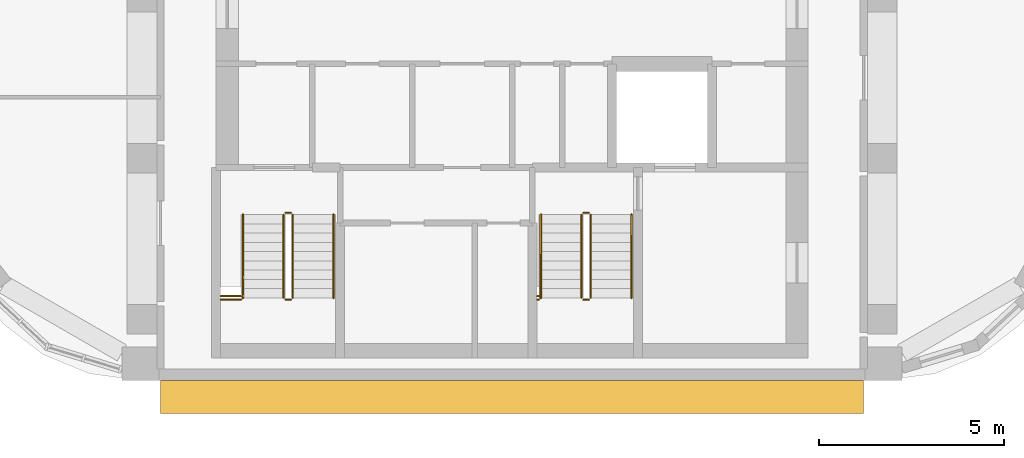
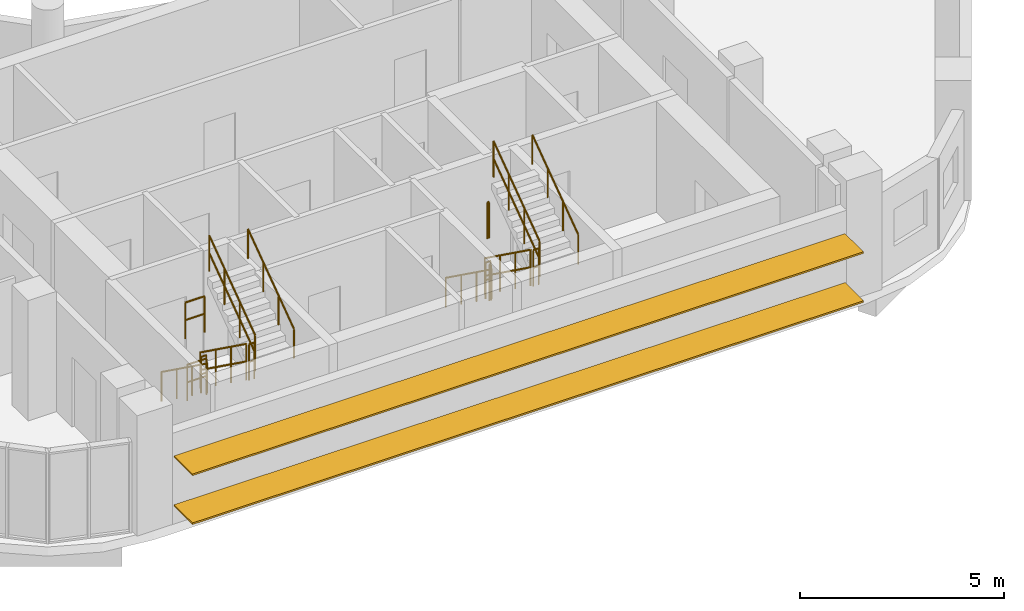
# One storey, part 14 of 16: 16 railings, 2 shading devices.
"""IFC4 building model written with IfcOpenShell, lengths in metres."""

import ifcopenshell
import ifcopenshell.guid

model = None  # the IFC model being written
_history = None  # IfcOwnerHistory: only IFC2X3 demands one
_inside = {}  # id of a spatial element -> (the spatial element, [elements in it])
_under = {}  # id of a project, library or spatial element -> (it, [spatial elements below it])
_declared = {}  # id of a project -> (the project, [libraries it declares])
_typed = {}  # id of a type object -> (the type object, [elements of that type])
_made_of = {}  # id of a material, layer set ... -> (it, [elements and type objects made of it])


def new_model(schema):
    """Start an empty IFC model of exactly this schema.

    Asked for "IFC4X3", IfcOpenShell would pick the latest addendum, in which some entities
    have other attributes; the version numbers below select the first issue.
    IFC2X3 requires an IfcOwnerHistory on every rooted entity: one is made here for all.
    """
    global model, _history
    if schema == "IFC4X3":
        model = ifcopenshell.file(schema_version=(4, 3, 0, 0))
    else:
        model = ifcopenshell.file(schema=schema)
    _inside.clear()
    _under.clear()
    _declared.clear()
    _typed.clear()
    _made_of.clear()
    _history = None
    if model.schema == "IFC2X3":
        org = make("IfcOrganization", Name="unknown")
        user = make(
            "IfcPersonAndOrganization",
            ThePerson=make("IfcPerson", FamilyName="unknown"),
            TheOrganization=org,
        )
        app = make(
            "IfcApplication",
            ApplicationDeveloper=org,
            Version="unknown",
            ApplicationFullName="unknown",
            ApplicationIdentifier="unknown",
        )
        _history = make(
            "IfcOwnerHistory",
            OwningUser=user,
            OwningApplication=app,
            ChangeAction="ADDED",
            CreationDate=0,
        )
    return model


def make(cls, **values):
    """One entity of the class cls with the attributes given. An attribute that is None is left unset."""
    return model.create_entity(
        cls, **{name: value for name, value in values.items() if value is not None}
    )


def rooted(cls, **values):
    """An entity with a GlobalId (a new one), such as an element, a storey or a relation."""
    return make(cls, GlobalId=ifcopenshell.guid.new(), OwnerHistory=_history, **values)


def si_unit(unit_type, name, prefix=None):
    """IfcSIUnit, for example si_unit("LENGTHUNIT", "METRE", prefix="MILLI")."""
    return make("IfcSIUnit", UnitType=unit_type, Prefix=prefix, Name=name)


def assignment(units):
    """IfcUnitAssignment: the units of a project."""
    return None if units is None else make("IfcUnitAssignment", Units=units)


def point(xyz):
    """IfcCartesianPoint."""
    return None if xyz is None else make("IfcCartesianPoint", Coordinates=xyz)


def direction(xyz):
    """IfcDirection."""
    return None if xyz is None else make("IfcDirection", DirectionRatios=xyz)


def frame(location, z_axis=None, x_axis=None):
    """IfcAxis2Placement3D, a coordinate frame: its origin and axes. An axis left out is left unset."""
    return make(
        "IfcAxis2Placement3D",
        Location=point(location),
        Axis=direction(z_axis),
        RefDirection=direction(x_axis),
    )


def frame_2d(location, x_axis=None):
    """IfcAxis2Placement2D, a coordinate frame in the plane: its origin and x axis."""
    return make(
        "IfcAxis2Placement2D", Location=point(location), RefDirection=direction(x_axis)
    )


def origin():
    """The frame at (0, 0, 0) with its axes left unset."""
    return frame((0.0, 0.0, 0.0))


def origin_2d():
    """The frame at (0, 0) in the plane with its x axis left unset."""
    return frame_2d((0.0, 0.0))


def place(relative_to, where):
    """IfcLocalPlacement: puts the frame where relative to a parent placement (None: the world)."""
    return make(
        "IfcLocalPlacement", PlacementRelTo=relative_to, RelativePlacement=where
    )


def context(
    kind, dimensions, precision=None, world=None, true_north=None, identifier=None
):
    """IfcGeometricRepresentationContext, for example the 3D "Model" context."""
    return make(
        "IfcGeometricRepresentationContext",
        ContextIdentifier=identifier,
        ContextType=kind,
        CoordinateSpaceDimension=dimensions,
        Precision=precision,
        WorldCoordinateSystem=world,
        TrueNorth=true_north,
    )


def subcontext(parent, identifier, kind, view, scale=None):
    """IfcGeometricRepresentationSubContext, for example "Body" below "Model"."""
    return make(
        "IfcGeometricRepresentationSubContext",
        ContextIdentifier=identifier,
        ContextType=kind,
        ParentContext=parent,
        TargetScale=scale,
        TargetView=view,
    )


def project(units=None, contexts=None):
    """IfcProject with its units and contexts."""
    return rooted(
        "IfcProject",
        Name="project",
        RepresentationContexts=contexts,
        UnitsInContext=assignment(units),
    )


def spatial(cls, under=None, at=None, **own):
    """A site, building, storey or space (cls), placed at a placement, below another one or the project."""
    s = rooted(cls, ObjectPlacement=at, **own)
    if under is not None:
        _under.setdefault(under.id(), (under, []))[1].append(s)
    return s


def profile(cls, at=None, kind="AREA", **sizes):
    """A parametric profile (cls). Its sizes go by their IFC names, for example OverallWidth=200.0."""
    return make(cls, ProfileType=kind, Position=at, **sizes)


def rectangle(**sizes):
    """IfcRectangleProfileDef."""
    return profile("IfcRectangleProfileDef", **sizes)


def circle(**sizes):
    """IfcCircleProfileDef."""
    return profile("IfcCircleProfileDef", **sizes)


def extrude(swept, where, along, depth):
    """IfcExtrudedAreaSolid: the profile swept, set in the frame where, extruded along a direction by depth."""
    return make(
        "IfcExtrudedAreaSolid",
        SweptArea=swept,
        Position=where,
        ExtrudedDirection=direction(along),
        Depth=depth,
    )


def shape(context_of_items, identifier, shape_type, items):
    """IfcShapeRepresentation: the items that make up one representation, for example the "Body"."""
    return make(
        "IfcShapeRepresentation",
        ContextOfItems=context_of_items,
        RepresentationIdentifier=identifier,
        RepresentationType=shape_type,
        Items=items,
    )


def material(Name=None, Category=None):
    """IfcMaterial."""
    return make("IfcMaterial", Name=Name, Category=Category)


def material_profile(
    of_material, cross_section, Name=None, Category=None, Priority=None
):
    """IfcMaterialProfile: a cross section and its material."""
    return make(
        "IfcMaterialProfile",
        Name=Name,
        Material=of_material,
        Profile=cross_section,
        Priority=Priority,
        Category=Category,
    )


def profile_set(profiles, Name=None, composite=None):
    """IfcMaterialProfileSet."""
    return make(
        "IfcMaterialProfileSet",
        Name=Name,
        MaterialProfiles=profiles,
        CompositeProfile=composite,
    )


def made_of(thing, what):
    """Note that an element or type object is made of a material, layer set ...; save() writes the relation."""
    if what is not None:
        _made_of.setdefault(what.id(), (what, []))[1].append(thing)
    return thing


def type_object(cls, material=None, **own):
    """A type object (cls), such as IfcWallType, which elements share."""
    return made_of(rooted(cls, **own), material)


def element(
    cls,
    number,
    at=None,
    inside=None,
    cuts=None,
    type_object=None,
    material=None,
    context=None,
    identifier="Body",
    shape_type=None,
    held_by="IfcProductDefinitionShape",
    body=None,
    shapes=None,
    **own,
):
    """One element of the class cls, such as IfcWall. Its Tag is "e" and its number.

    at: its placement. inside: the storey or other place that contains it. cuts: it is an
    opening in that element (IfcRelVoidsElement). A single representation is given by context,
    identifier, shape_type and body (its items); several are given by shapes. held_by: the class
    of the entity that holds the representations. save() writes the other relations.
    """
    e = rooted(cls, Tag="e%d" % number, ObjectPlacement=at, **own)
    if body is not None:
        shapes = [shape(context, identifier, shape_type, body)]
    if shapes is not None:
        e.Representation = make(held_by, Representations=shapes)
    if inside is not None:
        _inside.setdefault(inside.id(), (inside, []))[1].append(e)
    if cuts is not None:
        rooted(
            "IfcRelVoidsElement", RelatingBuildingElement=cuts, RelatedOpeningElement=e
        )
    if type_object is not None:
        _typed.setdefault(type_object.id(), (type_object, []))[1].append(e)
    return made_of(e, material)


def aggregate(whole, parts):
    """IfcRelAggregates: a whole, such as a stair, and the parts it consists of."""
    return rooted("IfcRelAggregates", RelatingObject=whole, RelatedObjects=parts)


def save(model, path):
    """Write the relations noted so far, then the file.

    IfcRelAggregates (storeys below a building ...), IfcRelContainedInSpatialStructure (elements
    in a storey), IfcRelDefinesByType, IfcRelAssociatesMaterial and IfcRelDeclares: one each for
    every whole, place, type object, material and project.
    """
    for whole, parts in _under.values():
        aggregate(whole, parts)
    for where, things in _inside.values():
        rooted(
            "IfcRelContainedInSpatialStructure",
            RelatedElements=things,
            RelatingStructure=where,
        )
    for kind, things in _typed.values():
        rooted("IfcRelDefinesByType", RelatedObjects=things, RelatingType=kind)
    for what, things in _made_of.values():
        rooted("IfcRelAssociatesMaterial", RelatedObjects=things, RelatingMaterial=what)
    for by, libraries in _declared.values():
        rooted("IfcRelDeclares", RelatingContext=by, RelatedDefinitions=libraries)
    model.write(path)


model = new_model("IFC4")

# Units and contexts
model_context = context("Model", 3, precision=1e-05, world=origin(), true_north=direction((0.0, 1.0)))
body_context = subcontext(model_context, "Body", "Model", "MODEL_VIEW")
ifc_project = project(units=[si_unit("LENGTHUNIT", "METRE"), si_unit("AREAUNIT", "SQUARE_METRE"), si_unit("VOLUMEUNIT", "CUBIC_METRE"), si_unit("PLANEANGLEUNIT", "RADIAN"), si_unit("MASSUNIT", "GRAM", prefix="KILO")], contexts=[model_context])

# Site, building, storey
site_placement = place(None, origin())
site = spatial("IfcSite", under=ifc_project, at=site_placement, CompositionType="ELEMENT")
building_placement = place(site_placement, origin())
building = spatial("IfcBuilding", under=site, at=building_placement, Name="Nakaniwa Court", CompositionType="ELEMENT")
storey_placement = place(building_placement, frame((0.0, 0.0, 272.39990234375)))
storey = spatial("IfcBuildingStorey", under=building, at=storey_placement, Name="C01", CompositionType="ELEMENT", Elevation=272.39990234375)

# Shading devices
ifc_material_1 = material(Name="Perforated charcoal ceramic louvre blade")
ifc_material_profile = material_profile(ifc_material_1, rectangle(XDim=0.89990234375, YDim=0.050048828125, at=origin_2d()), Name="Perforated ceramic louvre blade")
ifc_profile_set = profile_set([ifc_material_profile], Name="Perforated charcoal ceramic louvre blade")
shading_device_type = type_object("IfcShadingDeviceType", Name="Perforated ceramic louvre blade", PredefinedType="JALOUSIE", material=ifc_profile_set)
for number, where, z_axis, x_axis, name in (
    (1, (70.500732421875, 56.89990234375, 0.550048828125), (1.0, 0.0, 0.0), (0.0, 1.0, 0.0), "C01 perforated ceramic louvre blade w26 1"),
    (2, (70.500732421875, 56.89990234375, 2.01513671875), (1.0, 0.0, 0.0), (0.0, 1.0, 0.0), "C01 perforated ceramic louvre blade w26 2"),
):
    element("IfcShadingDevice", number, at=place(storey_placement, frame(where, z_axis=z_axis, x_axis=x_axis)), inside=storey, type_object=shading_device_type, Name=name, PredefinedType="JALOUSIE", context=body_context, shape_type="SweptSolid", body=[
        extrude(rectangle(XDim=0.89990234375, YDim=0.050048828125, at=origin_2d()), origin(), (0.0, 0.0, 1.0), 18.99267578125),
    ])

# Railings
ifc_material_2 = material(Name="Black powder coated steel guard", Category="steel")
railing_type_1 = type_object("IfcRailingType", Name="Stair guard 1100", PredefinedType="GUARDRAIL", material=ifc_material_2)
railing_1_placement = place(storey_placement, frame((73.824951171875, 61.824951171875, 0.18017578125)))
element("IfcRailing", 3, at=railing_1_placement, inside=storey, type_object=railing_type_1, Name="C01 ST3 stair guard 1", PredefinedType="GUARDRAIL", context=body_context, shape_type="SweptSolid", body=[
    extrude(circle(Radius=0.02392578125, at=origin_2d()), frame((0.0, 0.0, 1.076171875), z_axis=(0.0, -0.811556054185, 0.58427456809), x_axis=(1.0, 0.0, 0.0)), (0.0, 0.0, 1.0), 2.7724609375),
    extrude(circle(Radius=0.02392578125, at=origin_2d()), frame((0.0, 0.0, 0.550048828125), z_axis=(0.0, -0.811556054185, 0.58427456809), x_axis=(1.0, 0.0, 0.0)), (0.0, 0.0, 1.0), 2.7724609375),
    extrude(circle(Radius=0.02099609375, at=origin_2d()), origin(), (0.0, 0.0, 1.0), 1.052001953125),
    extrude(circle(Radius=0.02099609375, at=origin_2d()), frame((0.0, -0.75, 0.5400390625)), (0.0, 0.0, 1.0), 1.052001953125),
    extrude(circle(Radius=0.02099609375, at=origin_2d()), frame((0.0, -1.5, 1.079833984375)), (0.0, 0.0, 1.0), 1.052001953125),
    extrude(circle(Radius=0.02099609375, at=origin_2d()), frame((0.0, -2.25, 1.619873046875)), (0.0, 0.0, 1.0), 1.052001953125),
])
railing_2_placement = place(storey_placement, frame((73.875, 59.52490234375, 1.800048828125)))
element("IfcRailing", 4, at=railing_2_placement, inside=storey, type_object=railing_type_1, Name="C01 ST3 stair guard 2", PredefinedType="GUARDRAIL", context=body_context, shape_type="SweptSolid", body=[
    extrude(circle(Radius=0.02392578125, at=origin_2d()), frame((0.0, 0.0, 1.076171875), z_axis=(1.0, 0.0, 0.0), x_axis=(0.0, 1.0, 0.0)), (0.0, 0.0, 1.0), 0.14990234375),
    extrude(circle(Radius=0.02392578125, at=origin_2d()), frame((0.0, 0.0, 0.550048828125), z_axis=(1.0, 0.0, 0.0), x_axis=(0.0, 1.0, 0.0)), (0.0, 0.0, 1.0), 0.14990234375),
    extrude(circle(Radius=0.02099609375, at=origin_2d()), origin(), (0.0, 0.0, 1.0), 1.052001953125),
    extrude(circle(Radius=0.02099609375, at=origin_2d()), frame((0.14990234375, 0.0, 0.0)), (0.0, 0.0, 1.0), 1.052001953125),
])
railing_3_placement = place(storey_placement, frame((74.074951171875, 59.574951171875, 1.97998046875)))
element("IfcRailing", 5, at=railing_3_placement, inside=storey, type_object=railing_type_1, Name="C01 ST3 stair guard 3", PredefinedType="GUARDRAIL", context=body_context, shape_type="SweptSolid", body=[
    extrude(circle(Radius=0.02392578125, at=origin_2d()), frame((0.0, 0.0, 1.076171875), z_axis=(0.0, 0.811514298965, 0.584332561625), x_axis=(-1.0, 0.0, 0.0)), (0.0, 0.0, 1.0), 2.772705078125),
    extrude(circle(Radius=0.02392578125, at=origin_2d()), frame((0.0, 0.0, 0.550048828125), z_axis=(0.0, 0.811514298965, 0.584332561625), x_axis=(-1.0, 0.0, 0.0)), (0.0, 0.0, 1.0), 2.772705078125),
    extrude(circle(Radius=0.02099609375, at=origin_2d()), origin(), (0.0, 0.0, 1.0), 1.052001953125),
    extrude(circle(Radius=0.02099609375, at=origin_2d()), frame((0.0, 0.75, 0.5400390625)), (0.0, 0.0, 1.0), 1.052001953125),
    extrude(circle(Radius=0.02099609375, at=origin_2d()), frame((0.0, 1.5, 1.080078125)), (0.0, 0.0, 1.0), 1.052001953125),
    extrude(circle(Radius=0.02099609375, at=origin_2d()), frame((0.0, 2.25, 1.6201171875)), (0.0, 0.0, 1.0), 1.052001953125),
])
railing_4_placement = place(storey_placement, frame((73.875, 61.875, 0.0)))
element("IfcRailing", 6, at=railing_4_placement, inside=storey, type_object=railing_type_1, Name="C01 ST3 stair guard 4", PredefinedType="GUARDRAIL", context=body_context, shape_type="SweptSolid", body=[
    extrude(circle(Radius=0.02392578125, at=origin_2d()), frame((0.0, 0.0, 1.076171875), z_axis=(1.0, 0.0, 0.0), x_axis=(0.0, 1.0, 0.0)), (0.0, 0.0, 1.0), 0.14990234375),
    extrude(circle(Radius=0.02392578125, at=origin_2d()), frame((0.0, 0.0, 0.550048828125), z_axis=(1.0, 0.0, 0.0), x_axis=(0.0, 1.0, 0.0)), (0.0, 0.0, 1.0), 0.14990234375),
    extrude(circle(Radius=0.02099609375, at=origin_2d()), origin(), (0.0, 0.0, 1.0), 1.052001953125),
    extrude(circle(Radius=0.02099609375, at=origin_2d()), frame((0.14990234375, 0.0, 0.0)), (0.0, 0.0, 1.0), 1.052001953125),
])
for number, where, name in (
    (7, (72.125, 59.52490234375, 1.800048828125), "C01 ST3 landing side guard 1W"),
    (8, (72.125, 59.625, 3.60009765625), "C01 ST3 floor edge guard 1W"),
):
    element("IfcRailing", number, at=place(storey_placement, frame(where)), inside=storey, type_object=railing_type_1, Name=name, PredefinedType="GUARDRAIL", context=body_context, shape_type="SweptSolid", body=[
        extrude(circle(Radius=0.02392578125, at=origin_2d()), frame((0.0, 0.0, 1.076171875), z_axis=(1.0, 0.0, 0.0), x_axis=(0.0, 1.0, 0.0)), (0.0, 0.0, 1.0), 0.550048828125),
        extrude(circle(Radius=0.02392578125, at=origin_2d()), frame((0.0, 0.0, 0.550048828125), z_axis=(1.0, 0.0, 0.0), x_axis=(0.0, 1.0, 0.0)), (0.0, 0.0, 1.0), 0.550048828125),
        extrude(circle(Radius=0.02099609375, at=origin_2d()), origin(), (0.0, 0.0, 1.0), 1.052001953125),
        extrude(circle(Radius=0.02099609375, at=origin_2d()), frame((0.550048828125, 0.0, 0.0)), (0.0, 0.0, 1.0), 1.052001953125),
    ])
railing_5_placement = place(storey_placement, frame((81.875, 61.824951171875, 0.18017578125)))
element("IfcRailing", 9, at=railing_5_placement, inside=storey, type_object=railing_type_1, Name="C01 ST4 stair guard 1", PredefinedType="GUARDRAIL", context=body_context, shape_type="SweptSolid", body=[
    extrude(circle(Radius=0.02392578125, at=origin_2d()), frame((0.0, 0.0, 1.076171875), z_axis=(0.0, -0.811556054185, 0.58427456809), x_axis=(1.0, 0.0, 0.0)), (0.0, 0.0, 1.0), 2.7724609375),
    extrude(circle(Radius=0.02392578125, at=origin_2d()), frame((0.0, 0.0, 0.550048828125), z_axis=(0.0, -0.811556054185, 0.58427456809), x_axis=(1.0, 0.0, 0.0)), (0.0, 0.0, 1.0), 2.7724609375),
    extrude(circle(Radius=0.02099609375, at=origin_2d()), origin(), (0.0, 0.0, 1.0), 1.052001953125),
    extrude(circle(Radius=0.02099609375, at=origin_2d()), frame((0.0, -0.75, 0.5400390625)), (0.0, 0.0, 1.0), 1.052001953125),
    extrude(circle(Radius=0.02099609375, at=origin_2d()), frame((0.0, -1.5, 1.079833984375)), (0.0, 0.0, 1.0), 1.052001953125),
    extrude(circle(Radius=0.02099609375, at=origin_2d()), frame((0.0, -2.25, 1.619873046875)), (0.0, 0.0, 1.0), 1.052001953125),
])
railing_6_placement = place(storey_placement, frame((81.925048828125, 59.52490234375, 1.800048828125)))
element("IfcRailing", 10, at=railing_6_placement, inside=storey, type_object=railing_type_1, Name="C01 ST4 stair guard 2", PredefinedType="GUARDRAIL", context=body_context, shape_type="SweptSolid", body=[
    extrude(circle(Radius=0.02392578125, at=origin_2d()), frame((0.0, 0.0, 1.076171875), z_axis=(1.0, 0.0, 0.0), x_axis=(0.0, 1.0, 0.0)), (0.0, 0.0, 1.0), 0.14990234375),
    extrude(circle(Radius=0.02392578125, at=origin_2d()), frame((0.0, 0.0, 0.550048828125), z_axis=(1.0, 0.0, 0.0), x_axis=(0.0, 1.0, 0.0)), (0.0, 0.0, 1.0), 0.14990234375),
    extrude(circle(Radius=0.02099609375, at=origin_2d()), origin(), (0.0, 0.0, 1.0), 1.052001953125),
    extrude(circle(Radius=0.02099609375, at=origin_2d()), frame((0.14990234375, 0.0, 0.0)), (0.0, 0.0, 1.0), 1.052001953125),
])
railing_7_placement = place(storey_placement, frame((82.125, 59.574951171875, 1.97998046875)))
element("IfcRailing", 11, at=railing_7_placement, inside=storey, type_object=railing_type_1, Name="C01 ST4 stair guard 3", PredefinedType="GUARDRAIL", context=body_context, shape_type="SweptSolid", body=[
    extrude(circle(Radius=0.02392578125, at=origin_2d()), frame((0.0, 0.0, 1.076171875), z_axis=(0.0, 0.811514298965, 0.584332561625), x_axis=(-1.0, 0.0, 0.0)), (0.0, 0.0, 1.0), 2.772705078125),
    extrude(circle(Radius=0.02392578125, at=origin_2d()), frame((0.0, 0.0, 0.550048828125), z_axis=(0.0, 0.811514298965, 0.584332561625), x_axis=(-1.0, 0.0, 0.0)), (0.0, 0.0, 1.0), 2.772705078125),
    extrude(circle(Radius=0.02099609375, at=origin_2d()), origin(), (0.0, 0.0, 1.0), 1.052001953125),
    extrude(circle(Radius=0.02099609375, at=origin_2d()), frame((0.0, 0.75, 0.5400390625)), (0.0, 0.0, 1.0), 1.052001953125),
    extrude(circle(Radius=0.02099609375, at=origin_2d()), frame((0.0, 1.5, 1.080078125)), (0.0, 0.0, 1.0), 1.052001953125),
    extrude(circle(Radius=0.02099609375, at=origin_2d()), frame((0.0, 2.25, 1.6201171875)), (0.0, 0.0, 1.0), 1.052001953125),
])
railing_8_placement = place(storey_placement, frame((81.925048828125, 61.875, 0.0)))
element("IfcRailing", 12, at=railing_8_placement, inside=storey, type_object=railing_type_1, Name="C01 ST4 stair guard 4", PredefinedType="GUARDRAIL", context=body_context, shape_type="SweptSolid", body=[
    extrude(circle(Radius=0.02392578125, at=origin_2d()), frame((0.0, 0.0, 1.076171875), z_axis=(1.0, 0.0, 0.0), x_axis=(0.0, 1.0, 0.0)), (0.0, 0.0, 1.0), 0.14990234375),
    extrude(circle(Radius=0.02392578125, at=origin_2d()), frame((0.0, 0.0, 0.550048828125), z_axis=(1.0, 0.0, 0.0), x_axis=(0.0, 1.0, 0.0)), (0.0, 0.0, 1.0), 0.14990234375),
    extrude(circle(Radius=0.02099609375, at=origin_2d()), origin(), (0.0, 0.0, 1.0), 1.052001953125),
    extrude(circle(Radius=0.02099609375, at=origin_2d()), frame((0.14990234375, 0.0, 0.0)), (0.0, 0.0, 1.0), 1.052001953125),
])
for number, where, name in (
    (13, (80.675048828125, 59.52490234375, 1.800048828125), "C01 ST4 landing side guard 1W"),
    (14, (80.675048828125, 59.625, 3.60009765625), "C01 ST4 floor edge guard 1W"),
):
    element("IfcRailing", number, at=place(storey_placement, frame(where)), inside=storey, type_object=railing_type_1, Name=name, PredefinedType="GUARDRAIL", context=body_context, shape_type="SweptSolid", body=[
        extrude(circle(Radius=0.02392578125, at=origin_2d()), frame((0.0, 0.0, 1.076171875), z_axis=(1.0, 0.0, 0.0), x_axis=(0.0, 1.0, 0.0)), (0.0, 0.0, 1.0), 0.050048828125),
        extrude(circle(Radius=0.02392578125, at=origin_2d()), frame((0.0, 0.0, 0.550048828125), z_axis=(1.0, 0.0, 0.0), x_axis=(0.0, 1.0, 0.0)), (0.0, 0.0, 1.0), 0.050048828125),
        extrude(circle(Radius=0.02099609375, at=origin_2d()), origin(), (0.0, 0.0, 1.0), 1.052001953125),
        extrude(circle(Radius=0.02099609375, at=origin_2d()), frame((0.050048828125, 0.0, 0.0)), (0.0, 0.0, 1.0), 1.052001953125),
    ])
ifc_material_3 = material(Name="Black powder coated steel handrail", Category="steel")
railing_type_2 = type_object("IfcRailingType", Name="Stair handrail 900", PredefinedType="HANDRAIL", material=ifc_material_3)
railing_9_placement = place(storey_placement, frame((72.72509765625, 61.824951171875, 0.18017578125)))
element("IfcRailing", 15, at=railing_9_placement, inside=storey, type_object=railing_type_2, Name="C01 ST3 stair handrail 1", PredefinedType="HANDRAIL", context=body_context, shape_type="SweptSolid", body=[
    extrude(circle(Radius=0.02392578125, at=origin_2d()), frame((0.0, 0.0, 0.8759765625), z_axis=(0.0, -0.811556054185, 0.58427456809), x_axis=(1.0, 0.0, 0.0)), (0.0, 0.0, 1.0), 2.7724609375),
    extrude(circle(Radius=0.02099609375, at=origin_2d()), origin(), (0.0, 0.0, 1.0), 0.851806640625),
    extrude(circle(Radius=0.02099609375, at=origin_2d()), frame((0.0, -0.75, 0.5400390625)), (0.0, 0.0, 1.0), 0.851806640625),
    extrude(circle(Radius=0.02099609375, at=origin_2d()), frame((0.0, -1.5, 1.079833984375)), (0.0, 0.0, 1.0), 0.851806640625),
    extrude(circle(Radius=0.02099609375, at=origin_2d()), frame((0.0, -2.25, 1.619873046875)), (0.0, 0.0, 1.0), 0.851806640625),
])
railing_10_placement = place(storey_placement, frame((75.175048828125, 59.574951171875, 1.97998046875)))
element("IfcRailing", 16, at=railing_10_placement, inside=storey, type_object=railing_type_2, Name="C01 ST3 stair handrail 2", PredefinedType="HANDRAIL", context=body_context, shape_type="SweptSolid", body=[
    extrude(circle(Radius=0.02392578125, at=origin_2d()), frame((0.0, 0.0, 0.8759765625), z_axis=(0.0, 0.811514298965, 0.584332561625), x_axis=(-1.0, 0.0, 0.0)), (0.0, 0.0, 1.0), 2.772705078125),
    extrude(circle(Radius=0.02099609375, at=origin_2d()), origin(), (0.0, 0.0, 1.0), 0.851806640625),
    extrude(circle(Radius=0.02099609375, at=origin_2d()), frame((0.0, 0.75, 0.5400390625)), (0.0, 0.0, 1.0), 0.851806640625),
    extrude(circle(Radius=0.02099609375, at=origin_2d()), frame((0.0, 1.5, 1.080078125)), (0.0, 0.0, 1.0), 0.851806640625),
    extrude(circle(Radius=0.02099609375, at=origin_2d()), frame((0.0, 2.25, 1.6201171875)), (0.0, 0.0, 1.0), 0.851806640625),
])
railing_11_placement = place(storey_placement, frame((80.77490234375, 61.824951171875, 0.18017578125)))
element("IfcRailing", 17, at=railing_11_placement, inside=storey, type_object=railing_type_2, Name="C01 ST4 stair handrail 1", PredefinedType="HANDRAIL", context=body_context, shape_type="SweptSolid", body=[
    extrude(circle(Radius=0.02392578125, at=origin_2d()), frame((0.0, 0.0, 0.8759765625), z_axis=(0.0, -0.811556054185, 0.58427456809), x_axis=(1.0, 0.0, 0.0)), (0.0, 0.0, 1.0), 2.7724609375),
    extrude(circle(Radius=0.02099609375, at=origin_2d()), origin(), (0.0, 0.0, 1.0), 0.851806640625),
    extrude(circle(Radius=0.02099609375, at=origin_2d()), frame((0.0, -0.75, 0.5400390625)), (0.0, 0.0, 1.0), 0.851806640625),
    extrude(circle(Radius=0.02099609375, at=origin_2d()), frame((0.0, -1.5, 1.079833984375)), (0.0, 0.0, 1.0), 0.851806640625),
    extrude(circle(Radius=0.02099609375, at=origin_2d()), frame((0.0, -2.25, 1.619873046875)), (0.0, 0.0, 1.0), 0.851806640625),
])
railing_12_placement = place(storey_placement, frame((83.22509765625, 59.574951171875, 1.97998046875)))
element("IfcRailing", 18, at=railing_12_placement, inside=storey, type_object=railing_type_2, Name="C01 ST4 stair handrail 2", PredefinedType="HANDRAIL", context=body_context, shape_type="SweptSolid", body=[
    extrude(circle(Radius=0.02392578125, at=origin_2d()), frame((0.0, 0.0, 0.8759765625), z_axis=(0.0, 0.811514298965, 0.584332561625), x_axis=(-1.0, 0.0, 0.0)), (0.0, 0.0, 1.0), 2.772705078125),
    extrude(circle(Radius=0.02099609375, at=origin_2d()), origin(), (0.0, 0.0, 1.0), 0.851806640625),
    extrude(circle(Radius=0.02099609375, at=origin_2d()), frame((0.0, 0.75, 0.5400390625)), (0.0, 0.0, 1.0), 0.851806640625),
    extrude(circle(Radius=0.02099609375, at=origin_2d()), frame((0.0, 1.5, 1.080078125)), (0.0, 0.0, 1.0), 0.851806640625),
    extrude(circle(Radius=0.02099609375, at=origin_2d()), frame((0.0, 2.25, 1.6201171875)), (0.0, 0.0, 1.0), 0.851806640625),
])

save(model, "model.ifc")
